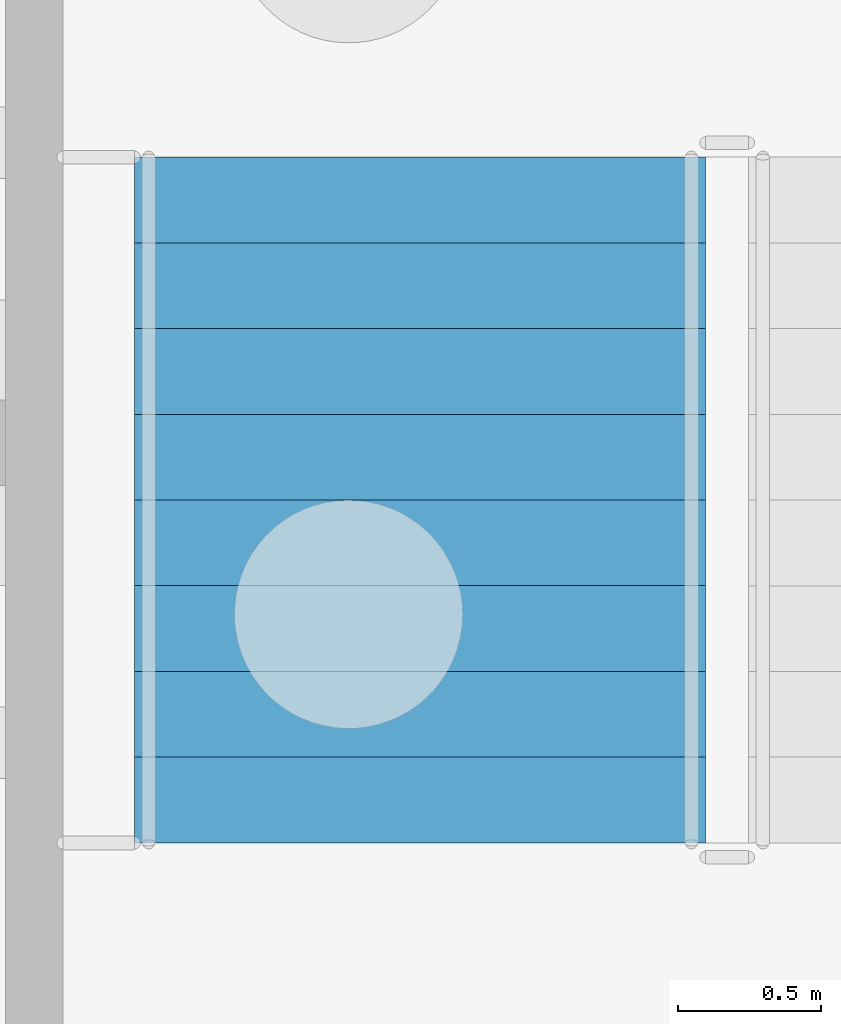
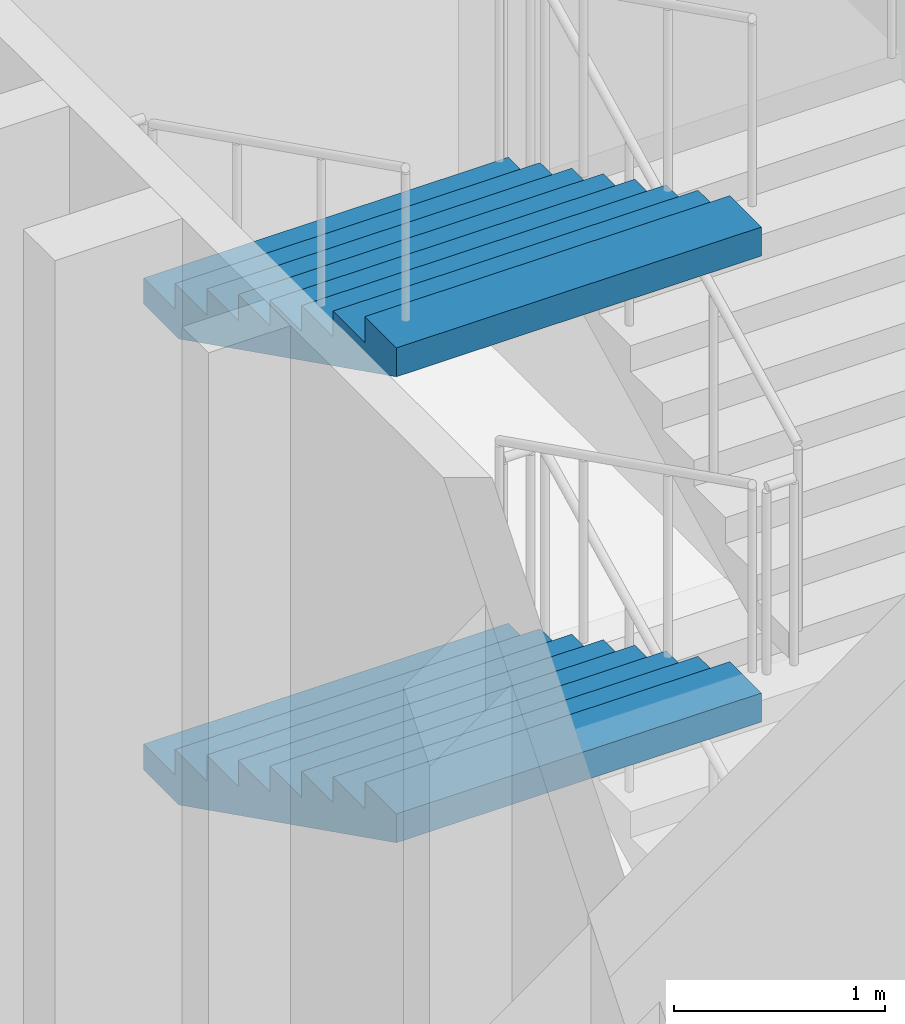
# One storey, part 84 of 129: 2 stair flights, 1 element without a shape of its own.
"""IFC4 building model written with IfcOpenShell, lengths in metres."""

from ifc_helpers import new_model, si_unit, direction, frame, origin, place, context, subcontext, project, spatial, faceted_brep, material, type_object, element, aggregate, save


model = new_model("IFC4")

# Units and contexts
model_context = context("Model", 3, precision=1e-05, world=origin(), true_north=direction((0.0, 1.0)))
body_context = subcontext(model_context, "Body", "Model", "MODEL_VIEW")
ifc_project = project(units=[si_unit("LENGTHUNIT", "METRE"), si_unit("AREAUNIT", "SQUARE_METRE"), si_unit("VOLUMEUNIT", "CUBIC_METRE"), si_unit("PLANEANGLEUNIT", "RADIAN"), si_unit("MASSUNIT", "GRAM", prefix="KILO")], contexts=[model_context])

# Site, building, storey
site_placement = place(None, origin())
site = spatial("IfcSite", under=ifc_project, at=site_placement, CompositionType="ELEMENT")
building_placement = place(site_placement, origin())
building = spatial("IfcBuilding", under=site, at=building_placement, Name="Kiln Court Media Centre", CompositionType="ELEMENT")
storey_placement = place(building_placement, origin())
storey = spatial("IfcBuildingStorey", under=building, at=storey_placement, Name="L00", CompositionType="ELEMENT", Elevation=0.0)

# Stair, stair flights
ifc_material_1 = material(Name="Concrete C40/50", Category="concrete")
stair_type = type_object("IfcStairType", Name="Concrete C40/50 dog-leg stair 2000 wide, 150 riser", PredefinedType="HALF_TURN_STAIR", material=ifc_material_1)
stair_placement = place(storey_placement, origin())
stair = element("IfcStair", 1, at=stair_placement, inside=storey, type_object=stair_type, Name="ST-13 L00", PredefinedType="HALF_TURN_STAIR")
ifc_material_2 = material(Name="Concrete C40/50", Category="concrete")
stair_flight_type = type_object("IfcStairFlightType", Name="Concrete C40/50 stair flight 2000 wide, 150 riser, 300 going", PredefinedType="STRAIGHT", material=ifc_material_2)
stair_flight_1_placement = place(storey_placement, frame((119.050048828125, 38.800048828125, 1.35009765625), z_axis=(0.0, 0.0, 1.0), x_axis=(0.0, -1.0, 0.0)))
stair_flight_1 = element("IfcStairFlight", 2, at=stair_flight_1_placement, type_object=stair_flight_type, Name="L00-ST-5012 flight 5049", NumberOfRisers=9, NumberOfTreads=8, PredefinedType="STRAIGHT", RiserHeight=0.15, TreadLength=0.3, context=body_context, shape_type="Brep", body=[
    faceted_brep([(0.335205078125, -1.0, 0.0), (2.39990234375, -1.0, 1.032470703125), (2.39990234375, -1.0, 1.199951171875), (2.10009765625, -1.0, 1.199951171875), (2.10009765625, -1.0, 1.050048828125), (1.800048828125, -1.0, 1.050048828125), (1.800048828125, -1.0, 0.89990234375), (1.5, -1.0, 0.89990234375), (1.5, -1.0, 0.75), (1.199951171875, -1.0, 0.75), (1.199951171875, -1.0, 0.60009765625), (0.89990234375, -1.0, 0.60009765625), (0.89990234375, -1.0, 0.449951171875), (0.60009765625, -1.0, 0.449951171875), (0.60009765625, -1.0, 0.300048828125), (0.300048828125, -1.0, 0.300048828125), (0.300048828125, -1.0, 0.14990234375), (0.0, -1.0, 0.14990234375), (0.0, -1.0, 0.0), (0.0, 1.0, 0.0), (0.0, 1.0, 0.14990234375), (0.300048828125, 1.0, 0.14990234375), (0.300048828125, 1.0, 0.300048828125), (0.60009765625, 1.0, 0.300048828125), (0.60009765625, 1.0, 0.449951171875), (0.89990234375, 1.0, 0.449951171875), (0.89990234375, 1.0, 0.60009765625), (1.199951171875, 1.0, 0.60009765625), (1.199951171875, 1.0, 0.75), (1.5, 1.0, 0.75), (1.5, 1.0, 0.89990234375), (1.800048828125, 1.0, 0.89990234375), (1.800048828125, 1.0, 1.050048828125), (2.10009765625, 1.0, 1.050048828125), (2.10009765625, 1.0, 1.199951171875), (2.39990234375, 1.0, 1.199951171875), (2.39990234375, 1.0, 1.032470703125), (0.335205078125, 1.0, 0.0), (2.39990234375, 0.10009765625, 1.032470703125), (0.335205078125, 0.10009765625, 0.0), (2.39990234375, 0.080078125, 1.032470703125), (0.335205078125, 0.080078125, 0.0), (2.39990234375, 0.06005859375, 1.032470703125), (0.335205078125, 0.06005859375, 0.0), (2.39990234375, 0.0400390625, 1.032470703125), (0.335205078125, 0.0400390625, 0.0), (2.39990234375, 0.02001953125, 1.032470703125), (0.335205078125, 0.02001953125, 0.0), (2.39990234375, 0.0, 1.032470703125), (0.335205078125, 0.0, 0.0), (2.39990234375, -0.02001953125, 1.032470703125), (0.335205078125, -0.02001953125, 0.0), (2.39990234375, -0.0400390625, 1.032470703125), (0.335205078125, -0.0400390625, 0.0), (2.39990234375, -0.06005859375, 1.032470703125), (0.335205078125, -0.06005859375, 0.0), (2.39990234375, -0.080078125, 1.032470703125), (0.335205078125, -0.080078125, 0.0), (2.39990234375, -0.10009765625, 1.032470703125), (0.335205078125, -0.10009765625, 0.0), (2.39990234375, 0.10009765625, 1.199951171875), (2.39990234375, 0.080078125, 1.199951171875), (2.39990234375, 0.06005859375, 1.199951171875), (2.39990234375, 0.0400390625, 1.199951171875), (2.39990234375, 0.02001953125, 1.199951171875), (2.39990234375, 0.0, 1.199951171875), (2.39990234375, -0.02001953125, 1.199951171875), (2.39990234375, -0.0400390625, 1.199951171875), (2.39990234375, -0.06005859375, 1.199951171875), (2.39990234375, -0.080078125, 1.199951171875), (2.39990234375, -0.10009765625, 1.199951171875), (2.10009765625, 0.10009765625, 1.199951171875), (2.10009765625, 0.080078125, 1.199951171875), (2.10009765625, 0.06005859375, 1.199951171875), (2.10009765625, 0.0400390625, 1.199951171875), (2.10009765625, 0.02001953125, 1.199951171875), (2.10009765625, 0.0, 1.199951171875), (2.10009765625, -0.02001953125, 1.199951171875), (2.10009765625, -0.0400390625, 1.199951171875), (2.10009765625, -0.06005859375, 1.199951171875), (2.10009765625, -0.080078125, 1.199951171875), (2.10009765625, -0.10009765625, 1.199951171875), (2.10009765625, 0.10009765625, 1.050048828125), (2.10009765625, 0.080078125, 1.050048828125), (2.10009765625, 0.06005859375, 1.050048828125), (2.10009765625, 0.0400390625, 1.050048828125), (2.10009765625, 0.02001953125, 1.050048828125), (2.10009765625, 0.0, 1.050048828125), (2.10009765625, -0.02001953125, 1.050048828125), (2.10009765625, -0.0400390625, 1.050048828125), (2.10009765625, -0.06005859375, 1.050048828125), (2.10009765625, -0.080078125, 1.050048828125), (2.10009765625, -0.10009765625, 1.050048828125), (1.800048828125, 0.10009765625, 1.050048828125), (1.800048828125, 0.080078125, 1.050048828125), (1.800048828125, 0.06005859375, 1.050048828125), (1.800048828125, 0.0400390625, 1.050048828125), (1.800048828125, 0.02001953125, 1.050048828125), (1.800048828125, 0.0, 1.050048828125), (1.800048828125, -0.02001953125, 1.050048828125), (1.800048828125, -0.0400390625, 1.050048828125), (1.800048828125, -0.06005859375, 1.050048828125), (1.800048828125, -0.080078125, 1.050048828125), (1.800048828125, -0.10009765625, 1.050048828125), (1.800048828125, 0.10009765625, 0.89990234375), (1.800048828125, 0.080078125, 0.89990234375), (1.800048828125, 0.06005859375, 0.89990234375), (1.800048828125, 0.0400390625, 0.89990234375), (1.800048828125, 0.02001953125, 0.89990234375), (1.800048828125, 0.0, 0.89990234375), (1.800048828125, -0.02001953125, 0.89990234375), (1.800048828125, -0.0400390625, 0.89990234375), (1.800048828125, -0.06005859375, 0.89990234375), (1.800048828125, -0.080078125, 0.89990234375), (1.800048828125, -0.10009765625, 0.89990234375), (1.5, 0.10009765625, 0.89990234375), (1.5, 0.080078125, 0.89990234375), (1.5, 0.06005859375, 0.89990234375), (1.5, 0.0400390625, 0.89990234375), (1.5, 0.02001953125, 0.89990234375), (1.5, 0.0, 0.89990234375), (1.5, -0.02001953125, 0.89990234375), (1.5, -0.0400390625, 0.89990234375), (1.5, -0.06005859375, 0.89990234375), (1.5, -0.080078125, 0.89990234375), (1.5, -0.10009765625, 0.89990234375), (1.5, 0.10009765625, 0.75), (1.5, 0.080078125, 0.75), (1.5, 0.06005859375, 0.75), (1.5, 0.0400390625, 0.75), (1.5, 0.02001953125, 0.75), (1.5, 0.0, 0.75), (1.5, -0.02001953125, 0.75), (1.5, -0.0400390625, 0.75), (1.5, -0.06005859375, 0.75), (1.5, -0.080078125, 0.75), (1.5, -0.10009765625, 0.75), (1.199951171875, 0.10009765625, 0.75), (1.199951171875, 0.080078125, 0.75), (1.199951171875, 0.06005859375, 0.75), (1.199951171875, 0.0400390625, 0.75), (1.199951171875, 0.02001953125, 0.75), (1.199951171875, 0.0, 0.75), (1.199951171875, -0.02001953125, 0.75), (1.199951171875, -0.0400390625, 0.75), (1.199951171875, -0.06005859375, 0.75), (1.199951171875, -0.080078125, 0.75), (1.199951171875, -0.10009765625, 0.75), (1.199951171875, 0.10009765625, 0.60009765625), (1.199951171875, 0.080078125, 0.60009765625), (1.199951171875, 0.06005859375, 0.60009765625), (1.199951171875, 0.0400390625, 0.60009765625), (1.199951171875, 0.02001953125, 0.60009765625), (1.199951171875, 0.0, 0.60009765625), (1.199951171875, -0.02001953125, 0.60009765625), (1.199951171875, -0.0400390625, 0.60009765625), (1.199951171875, -0.06005859375, 0.60009765625), (1.199951171875, -0.080078125, 0.60009765625), (1.199951171875, -0.10009765625, 0.60009765625), (0.89990234375, 0.10009765625, 0.60009765625), (0.89990234375, 0.080078125, 0.60009765625), (0.89990234375, 0.06005859375, 0.60009765625), (0.89990234375, 0.0400390625, 0.60009765625), (0.89990234375, 0.02001953125, 0.60009765625), (0.89990234375, 0.0, 0.60009765625), (0.89990234375, -0.02001953125, 0.60009765625), (0.89990234375, -0.0400390625, 0.60009765625), (0.89990234375, -0.06005859375, 0.60009765625), (0.89990234375, -0.080078125, 0.60009765625), (0.89990234375, -0.10009765625, 0.60009765625), (0.89990234375, 0.10009765625, 0.449951171875), (0.89990234375, 0.080078125, 0.449951171875), (0.89990234375, 0.06005859375, 0.449951171875), (0.89990234375, 0.0400390625, 0.449951171875), (0.89990234375, 0.02001953125, 0.449951171875), (0.89990234375, 0.0, 0.449951171875), (0.89990234375, -0.02001953125, 0.449951171875), (0.89990234375, -0.0400390625, 0.449951171875), (0.89990234375, -0.06005859375, 0.449951171875), (0.89990234375, -0.080078125, 0.449951171875), (0.89990234375, -0.10009765625, 0.449951171875), (0.60009765625, 0.10009765625, 0.449951171875), (0.60009765625, 0.080078125, 0.449951171875), (0.60009765625, 0.06005859375, 0.449951171875), (0.60009765625, 0.0400390625, 0.449951171875), (0.60009765625, 0.02001953125, 0.449951171875), (0.60009765625, 0.0, 0.449951171875), (0.60009765625, -0.02001953125, 0.449951171875), (0.60009765625, -0.0400390625, 0.449951171875), (0.60009765625, -0.06005859375, 0.449951171875), (0.60009765625, -0.080078125, 0.449951171875), (0.60009765625, -0.10009765625, 0.449951171875), (0.60009765625, 0.10009765625, 0.300048828125), (0.60009765625, 0.080078125, 0.300048828125), (0.60009765625, 0.06005859375, 0.300048828125), (0.60009765625, 0.0400390625, 0.300048828125), (0.60009765625, 0.02001953125, 0.300048828125), (0.60009765625, 0.0, 0.300048828125), (0.60009765625, -0.02001953125, 0.300048828125), (0.60009765625, -0.0400390625, 0.300048828125), (0.60009765625, -0.06005859375, 0.300048828125), (0.60009765625, -0.080078125, 0.300048828125), (0.60009765625, -0.10009765625, 0.300048828125), (0.300048828125, 0.10009765625, 0.300048828125), (0.300048828125, 0.080078125, 0.300048828125), (0.300048828125, 0.06005859375, 0.300048828125), (0.300048828125, 0.0400390625, 0.300048828125), (0.300048828125, 0.02001953125, 0.300048828125), (0.300048828125, 0.0, 0.300048828125), (0.300048828125, -0.02001953125, 0.300048828125), (0.300048828125, -0.0400390625, 0.300048828125), (0.300048828125, -0.06005859375, 0.300048828125), (0.300048828125, -0.080078125, 0.300048828125), (0.300048828125, -0.10009765625, 0.300048828125), (0.300048828125, 0.10009765625, 0.14990234375), (0.300048828125, 0.080078125, 0.14990234375), (0.300048828125, 0.06005859375, 0.14990234375), (0.300048828125, 0.0400390625, 0.14990234375), (0.300048828125, 0.02001953125, 0.14990234375), (0.300048828125, 0.0, 0.14990234375), (0.300048828125, -0.02001953125, 0.14990234375), (0.300048828125, -0.0400390625, 0.14990234375), (0.300048828125, -0.06005859375, 0.14990234375), (0.300048828125, -0.080078125, 0.14990234375), (0.300048828125, -0.10009765625, 0.14990234375), (0.0, 0.10009765625, 0.14990234375), (0.0, 0.080078125, 0.14990234375), (0.0, 0.06005859375, 0.14990234375), (0.0, 0.0400390625, 0.14990234375), (0.0, 0.02001953125, 0.14990234375), (0.0, 0.0, 0.14990234375), (0.0, -0.02001953125, 0.14990234375), (0.0, -0.0400390625, 0.14990234375), (0.0, -0.06005859375, 0.14990234375), (0.0, -0.080078125, 0.14990234375), (0.0, -0.10009765625, 0.14990234375), (0.0, 0.10009765625, 0.0), (0.0, 0.080078125, 0.0), (0.0, 0.06005859375, 0.0), (0.0, 0.0400390625, 0.0), (0.0, 0.02001953125, 0.0), (0.0, 0.0, 0.0), (0.0, -0.02001953125, 0.0), (0.0, -0.0400390625, 0.0), (0.0, -0.06005859375, 0.0), (0.0, -0.080078125, 0.0), (0.0, -0.10009765625, 0.0)], [[[0, 1, 2, 3, 4, 5, 6, 7, 8, 9, 10, 11, 12, 13, 14, 15, 16, 17, 18]], [[19, 20, 21, 22, 23, 24, 25, 26, 27, 28, 29, 30, 31, 32, 33, 34, 35, 36, 37]], [[37, 36, 38, 39]], [[39, 38, 40, 41]], [[41, 40, 42, 43]], [[43, 42, 44, 45]], [[45, 44, 46, 47]], [[47, 46, 48, 49]], [[49, 48, 50, 51]], [[51, 50, 52, 53]], [[53, 52, 54, 55]], [[55, 54, 56, 57]], [[57, 56, 58, 59]], [[59, 58, 1, 0]], [[36, 35, 60, 38]], [[38, 60, 61, 40]], [[40, 61, 62, 42]], [[42, 62, 63, 44]], [[44, 63, 64, 46]], [[46, 64, 65, 48]], [[48, 65, 66, 50]], [[50, 66, 67, 52]], [[52, 67, 68, 54]], [[54, 68, 69, 56]], [[56, 69, 70, 58]], [[58, 70, 2, 1]], [[35, 34, 71, 60]], [[60, 71, 72, 61]], [[61, 72, 73, 62]], [[62, 73, 74, 63]], [[63, 74, 75, 64]], [[64, 75, 76, 65]], [[65, 76, 77, 66]], [[66, 77, 78, 67]], [[67, 78, 79, 68]], [[68, 79, 80, 69]], [[69, 80, 81, 70]], [[70, 81, 3, 2]], [[34, 33, 82, 71]], [[71, 82, 83, 72]], [[72, 83, 84, 73]], [[73, 84, 85, 74]], [[74, 85, 86, 75]], [[75, 86, 87, 76]], [[76, 87, 88, 77]], [[77, 88, 89, 78]], [[78, 89, 90, 79]], [[79, 90, 91, 80]], [[80, 91, 92, 81]], [[81, 92, 4, 3]], [[33, 32, 93, 82]], [[82, 93, 94, 83]], [[83, 94, 95, 84]], [[84, 95, 96, 85]], [[85, 96, 97, 86]], [[86, 97, 98, 87]], [[87, 98, 99, 88]], [[88, 99, 100, 89]], [[89, 100, 101, 90]], [[90, 101, 102, 91]], [[91, 102, 103, 92]], [[92, 103, 5, 4]], [[32, 31, 104, 93]], [[93, 104, 105, 94]], [[94, 105, 106, 95]], [[95, 106, 107, 96]], [[96, 107, 108, 97]], [[97, 108, 109, 98]], [[98, 109, 110, 99]], [[99, 110, 111, 100]], [[100, 111, 112, 101]], [[101, 112, 113, 102]], [[102, 113, 114, 103]], [[103, 114, 6, 5]], [[31, 30, 115, 104]], [[104, 115, 116, 105]], [[105, 116, 117, 106]], [[106, 117, 118, 107]], [[107, 118, 119, 108]], [[108, 119, 120, 109]], [[109, 120, 121, 110]], [[110, 121, 122, 111]], [[111, 122, 123, 112]], [[112, 123, 124, 113]], [[113, 124, 125, 114]], [[114, 125, 7, 6]], [[30, 29, 126, 115]], [[115, 126, 127, 116]], [[116, 127, 128, 117]], [[117, 128, 129, 118]], [[118, 129, 130, 119]], [[119, 130, 131, 120]], [[120, 131, 132, 121]], [[121, 132, 133, 122]], [[122, 133, 134, 123]], [[123, 134, 135, 124]], [[124, 135, 136, 125]], [[125, 136, 8, 7]], [[29, 28, 137, 126]], [[126, 137, 138, 127]], [[127, 138, 139, 128]], [[128, 139, 140, 129]], [[129, 140, 141, 130]], [[130, 141, 142, 131]], [[131, 142, 143, 132]], [[132, 143, 144, 133]], [[133, 144, 145, 134]], [[134, 145, 146, 135]], [[135, 146, 147, 136]], [[136, 147, 9, 8]], [[28, 27, 148, 137]], [[137, 148, 149, 138]], [[138, 149, 150, 139]], [[139, 150, 151, 140]], [[140, 151, 152, 141]], [[141, 152, 153, 142]], [[142, 153, 154, 143]], [[143, 154, 155, 144]], [[144, 155, 156, 145]], [[145, 156, 157, 146]], [[146, 157, 158, 147]], [[147, 158, 10, 9]], [[27, 26, 159, 148]], [[148, 159, 160, 149]], [[149, 160, 161, 150]], [[150, 161, 162, 151]], [[151, 162, 163, 152]], [[152, 163, 164, 153]], [[153, 164, 165, 154]], [[154, 165, 166, 155]], [[155, 166, 167, 156]], [[156, 167, 168, 157]], [[157, 168, 169, 158]], [[158, 169, 11, 10]], [[26, 25, 170, 159]], [[159, 170, 171, 160]], [[160, 171, 172, 161]], [[161, 172, 173, 162]], [[162, 173, 174, 163]], [[163, 174, 175, 164]], [[164, 175, 176, 165]], [[165, 176, 177, 166]], [[166, 177, 178, 167]], [[167, 178, 179, 168]], [[168, 179, 180, 169]], [[169, 180, 12, 11]], [[25, 24, 181, 170]], [[170, 181, 182, 171]], [[171, 182, 183, 172]], [[172, 183, 184, 173]], [[173, 184, 185, 174]], [[174, 185, 186, 175]], [[175, 186, 187, 176]], [[176, 187, 188, 177]], [[177, 188, 189, 178]], [[178, 189, 190, 179]], [[179, 190, 191, 180]], [[180, 191, 13, 12]], [[24, 23, 192, 181]], [[181, 192, 193, 182]], [[182, 193, 194, 183]], [[183, 194, 195, 184]], [[184, 195, 196, 185]], [[185, 196, 197, 186]], [[186, 197, 198, 187]], [[187, 198, 199, 188]], [[188, 199, 200, 189]], [[189, 200, 201, 190]], [[190, 201, 202, 191]], [[191, 202, 14, 13]], [[23, 22, 203, 192]], [[192, 203, 204, 193]], [[193, 204, 205, 194]], [[194, 205, 206, 195]], [[195, 206, 207, 196]], [[196, 207, 208, 197]], [[197, 208, 209, 198]], [[198, 209, 210, 199]], [[199, 210, 211, 200]], [[200, 211, 212, 201]], [[201, 212, 213, 202]], [[202, 213, 15, 14]], [[22, 21, 214, 203]], [[203, 214, 215, 204]], [[204, 215, 216, 205]], [[205, 216, 217, 206]], [[206, 217, 218, 207]], [[207, 218, 219, 208]], [[208, 219, 220, 209]], [[209, 220, 221, 210]], [[210, 221, 222, 211]], [[211, 222, 223, 212]], [[212, 223, 224, 213]], [[213, 224, 16, 15]], [[21, 20, 225, 214]], [[214, 225, 226, 215]], [[215, 226, 227, 216]], [[216, 227, 228, 217]], [[217, 228, 229, 218]], [[218, 229, 230, 219]], [[219, 230, 231, 220]], [[220, 231, 232, 221]], [[221, 232, 233, 222]], [[222, 233, 234, 223]], [[223, 234, 235, 224]], [[224, 235, 17, 16]], [[20, 19, 236, 225]], [[225, 236, 237, 226]], [[226, 237, 238, 227]], [[227, 238, 239, 228]], [[228, 239, 240, 229]], [[229, 240, 241, 230]], [[230, 241, 242, 231]], [[231, 242, 243, 232]], [[232, 243, 244, 233]], [[233, 244, 245, 234]], [[234, 245, 246, 235]], [[235, 246, 18, 17]], [[19, 37, 39, 236]], [[236, 39, 41, 237]], [[237, 41, 43, 238]], [[238, 43, 45, 239]], [[239, 45, 47, 240]], [[240, 47, 49, 241]], [[241, 49, 51, 242]], [[242, 51, 53, 243]], [[243, 53, 55, 244]], [[244, 55, 57, 245]], [[245, 57, 59, 246]], [[246, 59, 0, 18]]]),
])
stair_flight_2_placement = place(storey_placement, frame((119.050048828125, 38.800048828125, 4.050048828125), z_axis=(0.0, 0.0, 1.0), x_axis=(0.0, -1.0, 0.0)))
stair_flight_2 = element("IfcStairFlight", 3, at=stair_flight_2_placement, type_object=stair_flight_type, Name="L00-ST-5012 flight 5051", NumberOfRisers=9, NumberOfTreads=8, PredefinedType="STRAIGHT", RiserHeight=0.15, TreadLength=0.3, context=body_context, shape_type="Brep", body=[
    faceted_brep([(0.335205078125, -1.0, 0.0), (2.39990234375, -1.0, 1.032470703125), (2.39990234375, -1.0, 1.199951171875), (2.10009765625, -1.0, 1.199951171875), (2.10009765625, -1.0, 1.050048828125), (1.800048828125, -1.0, 1.050048828125), (1.800048828125, -1.0, 0.89990234375), (1.5, -1.0, 0.89990234375), (1.5, -1.0, 0.75), (1.199951171875, -1.0, 0.75), (1.199951171875, -1.0, 0.60009765625), (0.89990234375, -1.0, 0.60009765625), (0.89990234375, -1.0, 0.449951171875), (0.60009765625, -1.0, 0.449951171875), (0.60009765625, -1.0, 0.300048828125), (0.300048828125, -1.0, 0.300048828125), (0.300048828125, -1.0, 0.14990234375), (0.0, -1.0, 0.14990234375), (0.0, -1.0, 0.0), (0.0, 1.0, 0.0), (0.0, 1.0, 0.14990234375), (0.300048828125, 1.0, 0.14990234375), (0.300048828125, 1.0, 0.300048828125), (0.60009765625, 1.0, 0.300048828125), (0.60009765625, 1.0, 0.449951171875), (0.89990234375, 1.0, 0.449951171875), (0.89990234375, 1.0, 0.60009765625), (1.199951171875, 1.0, 0.60009765625), (1.199951171875, 1.0, 0.75), (1.5, 1.0, 0.75), (1.5, 1.0, 0.89990234375), (1.800048828125, 1.0, 0.89990234375), (1.800048828125, 1.0, 1.050048828125), (2.10009765625, 1.0, 1.050048828125), (2.10009765625, 1.0, 1.199951171875), (2.39990234375, 1.0, 1.199951171875), (2.39990234375, 1.0, 1.032470703125), (0.335205078125, 1.0, 0.0), (2.39990234375, 0.10009765625, 1.032470703125), (0.335205078125, 0.10009765625, 0.0), (2.39990234375, 0.080078125, 1.032470703125), (0.335205078125, 0.080078125, 0.0), (2.39990234375, 0.06005859375, 1.032470703125), (0.335205078125, 0.06005859375, 0.0), (2.39990234375, 0.0400390625, 1.032470703125), (0.335205078125, 0.0400390625, 0.0), (2.39990234375, 0.02001953125, 1.032470703125), (0.335205078125, 0.02001953125, 0.0), (2.39990234375, 0.0, 1.032470703125), (0.335205078125, 0.0, 0.0), (2.39990234375, -0.02001953125, 1.032470703125), (0.335205078125, -0.02001953125, 0.0), (2.39990234375, -0.0400390625, 1.032470703125), (0.335205078125, -0.0400390625, 0.0), (2.39990234375, -0.06005859375, 1.032470703125), (0.335205078125, -0.06005859375, 0.0), (2.39990234375, -0.080078125, 1.032470703125), (0.335205078125, -0.080078125, 0.0), (2.39990234375, -0.10009765625, 1.032470703125), (0.335205078125, -0.10009765625, 0.0), (2.39990234375, 0.10009765625, 1.199951171875), (2.39990234375, 0.080078125, 1.199951171875), (2.39990234375, 0.06005859375, 1.199951171875), (2.39990234375, 0.0400390625, 1.199951171875), (2.39990234375, 0.02001953125, 1.199951171875), (2.39990234375, 0.0, 1.199951171875), (2.39990234375, -0.02001953125, 1.199951171875), (2.39990234375, -0.0400390625, 1.199951171875), (2.39990234375, -0.06005859375, 1.199951171875), (2.39990234375, -0.080078125, 1.199951171875), (2.39990234375, -0.10009765625, 1.199951171875), (2.10009765625, 0.10009765625, 1.199951171875), (2.10009765625, 0.080078125, 1.199951171875), (2.10009765625, 0.06005859375, 1.199951171875), (2.10009765625, 0.0400390625, 1.199951171875), (2.10009765625, 0.02001953125, 1.199951171875), (2.10009765625, 0.0, 1.199951171875), (2.10009765625, -0.02001953125, 1.199951171875), (2.10009765625, -0.0400390625, 1.199951171875), (2.10009765625, -0.06005859375, 1.199951171875), (2.10009765625, -0.080078125, 1.199951171875), (2.10009765625, -0.10009765625, 1.199951171875), (2.10009765625, 0.10009765625, 1.050048828125), (2.10009765625, 0.080078125, 1.050048828125), (2.10009765625, 0.06005859375, 1.050048828125), (2.10009765625, 0.0400390625, 1.050048828125), (2.10009765625, 0.02001953125, 1.050048828125), (2.10009765625, 0.0, 1.050048828125), (2.10009765625, -0.02001953125, 1.050048828125), (2.10009765625, -0.0400390625, 1.050048828125), (2.10009765625, -0.06005859375, 1.050048828125), (2.10009765625, -0.080078125, 1.050048828125), (2.10009765625, -0.10009765625, 1.050048828125), (1.800048828125, 0.10009765625, 1.050048828125), (1.800048828125, 0.080078125, 1.050048828125), (1.800048828125, 0.06005859375, 1.050048828125), (1.800048828125, 0.0400390625, 1.050048828125), (1.800048828125, 0.02001953125, 1.050048828125), (1.800048828125, 0.0, 1.050048828125), (1.800048828125, -0.02001953125, 1.050048828125), (1.800048828125, -0.0400390625, 1.050048828125), (1.800048828125, -0.06005859375, 1.050048828125), (1.800048828125, -0.080078125, 1.050048828125), (1.800048828125, -0.10009765625, 1.050048828125), (1.800048828125, 0.10009765625, 0.89990234375), (1.800048828125, 0.080078125, 0.89990234375), (1.800048828125, 0.06005859375, 0.89990234375), (1.800048828125, 0.0400390625, 0.89990234375), (1.800048828125, 0.02001953125, 0.89990234375), (1.800048828125, 0.0, 0.89990234375), (1.800048828125, -0.02001953125, 0.89990234375), (1.800048828125, -0.0400390625, 0.89990234375), (1.800048828125, -0.06005859375, 0.89990234375), (1.800048828125, -0.080078125, 0.89990234375), (1.800048828125, -0.10009765625, 0.89990234375), (1.5, 0.10009765625, 0.89990234375), (1.5, 0.080078125, 0.89990234375), (1.5, 0.06005859375, 0.89990234375), (1.5, 0.0400390625, 0.89990234375), (1.5, 0.02001953125, 0.89990234375), (1.5, 0.0, 0.89990234375), (1.5, -0.02001953125, 0.89990234375), (1.5, -0.0400390625, 0.89990234375), (1.5, -0.06005859375, 0.89990234375), (1.5, -0.080078125, 0.89990234375), (1.5, -0.10009765625, 0.89990234375), (1.5, 0.10009765625, 0.75), (1.5, 0.080078125, 0.75), (1.5, 0.06005859375, 0.75), (1.5, 0.0400390625, 0.75), (1.5, 0.02001953125, 0.75), (1.5, 0.0, 0.75), (1.5, -0.02001953125, 0.75), (1.5, -0.0400390625, 0.75), (1.5, -0.06005859375, 0.75), (1.5, -0.080078125, 0.75), (1.5, -0.10009765625, 0.75), (1.199951171875, 0.10009765625, 0.75), (1.199951171875, 0.080078125, 0.75), (1.199951171875, 0.06005859375, 0.75), (1.199951171875, 0.0400390625, 0.75), (1.199951171875, 0.02001953125, 0.75), (1.199951171875, 0.0, 0.75), (1.199951171875, -0.02001953125, 0.75), (1.199951171875, -0.0400390625, 0.75), (1.199951171875, -0.06005859375, 0.75), (1.199951171875, -0.080078125, 0.75), (1.199951171875, -0.10009765625, 0.75), (1.199951171875, 0.10009765625, 0.60009765625), (1.199951171875, 0.080078125, 0.60009765625), (1.199951171875, 0.06005859375, 0.60009765625), (1.199951171875, 0.0400390625, 0.60009765625), (1.199951171875, 0.02001953125, 0.60009765625), (1.199951171875, 0.0, 0.60009765625), (1.199951171875, -0.02001953125, 0.60009765625), (1.199951171875, -0.0400390625, 0.60009765625), (1.199951171875, -0.06005859375, 0.60009765625), (1.199951171875, -0.080078125, 0.60009765625), (1.199951171875, -0.10009765625, 0.60009765625), (0.89990234375, 0.10009765625, 0.60009765625), (0.89990234375, 0.080078125, 0.60009765625), (0.89990234375, 0.06005859375, 0.60009765625), (0.89990234375, 0.0400390625, 0.60009765625), (0.89990234375, 0.02001953125, 0.60009765625), (0.89990234375, 0.0, 0.60009765625), (0.89990234375, -0.02001953125, 0.60009765625), (0.89990234375, -0.0400390625, 0.60009765625), (0.89990234375, -0.06005859375, 0.60009765625), (0.89990234375, -0.080078125, 0.60009765625), (0.89990234375, -0.10009765625, 0.60009765625), (0.89990234375, 0.10009765625, 0.449951171875), (0.89990234375, 0.080078125, 0.449951171875), (0.89990234375, 0.06005859375, 0.449951171875), (0.89990234375, 0.0400390625, 0.449951171875), (0.89990234375, 0.02001953125, 0.449951171875), (0.89990234375, 0.0, 0.449951171875), (0.89990234375, -0.02001953125, 0.449951171875), (0.89990234375, -0.0400390625, 0.449951171875), (0.89990234375, -0.06005859375, 0.449951171875), (0.89990234375, -0.080078125, 0.449951171875), (0.89990234375, -0.10009765625, 0.449951171875), (0.60009765625, 0.10009765625, 0.449951171875), (0.60009765625, 0.080078125, 0.449951171875), (0.60009765625, 0.06005859375, 0.449951171875), (0.60009765625, 0.0400390625, 0.449951171875), (0.60009765625, 0.02001953125, 0.449951171875), (0.60009765625, 0.0, 0.449951171875), (0.60009765625, -0.02001953125, 0.449951171875), (0.60009765625, -0.0400390625, 0.449951171875), (0.60009765625, -0.06005859375, 0.449951171875), (0.60009765625, -0.080078125, 0.449951171875), (0.60009765625, -0.10009765625, 0.449951171875), (0.60009765625, 0.10009765625, 0.300048828125), (0.60009765625, 0.080078125, 0.300048828125), (0.60009765625, 0.06005859375, 0.300048828125), (0.60009765625, 0.0400390625, 0.300048828125), (0.60009765625, 0.02001953125, 0.300048828125), (0.60009765625, 0.0, 0.300048828125), (0.60009765625, -0.02001953125, 0.300048828125), (0.60009765625, -0.0400390625, 0.300048828125), (0.60009765625, -0.06005859375, 0.300048828125), (0.60009765625, -0.080078125, 0.300048828125), (0.60009765625, -0.10009765625, 0.300048828125), (0.300048828125, 0.10009765625, 0.300048828125), (0.300048828125, 0.080078125, 0.300048828125), (0.300048828125, 0.06005859375, 0.300048828125), (0.300048828125, 0.0400390625, 0.300048828125), (0.300048828125, 0.02001953125, 0.300048828125), (0.300048828125, 0.0, 0.300048828125), (0.300048828125, -0.02001953125, 0.300048828125), (0.300048828125, -0.0400390625, 0.300048828125), (0.300048828125, -0.06005859375, 0.300048828125), (0.300048828125, -0.080078125, 0.300048828125), (0.300048828125, -0.10009765625, 0.300048828125), (0.300048828125, 0.10009765625, 0.14990234375), (0.300048828125, 0.080078125, 0.14990234375), (0.300048828125, 0.06005859375, 0.14990234375), (0.300048828125, 0.0400390625, 0.14990234375), (0.300048828125, 0.02001953125, 0.14990234375), (0.300048828125, 0.0, 0.14990234375), (0.300048828125, -0.02001953125, 0.14990234375), (0.300048828125, -0.0400390625, 0.14990234375), (0.300048828125, -0.06005859375, 0.14990234375), (0.300048828125, -0.080078125, 0.14990234375), (0.300048828125, -0.10009765625, 0.14990234375), (0.0, 0.10009765625, 0.14990234375), (0.0, 0.080078125, 0.14990234375), (0.0, 0.06005859375, 0.14990234375), (0.0, 0.0400390625, 0.14990234375), (0.0, 0.02001953125, 0.14990234375), (0.0, 0.0, 0.14990234375), (0.0, -0.02001953125, 0.14990234375), (0.0, -0.0400390625, 0.14990234375), (0.0, -0.06005859375, 0.14990234375), (0.0, -0.080078125, 0.14990234375), (0.0, -0.10009765625, 0.14990234375), (0.0, 0.10009765625, 0.0), (0.0, 0.080078125, 0.0), (0.0, 0.06005859375, 0.0), (0.0, 0.0400390625, 0.0), (0.0, 0.02001953125, 0.0), (0.0, 0.0, 0.0), (0.0, -0.02001953125, 0.0), (0.0, -0.0400390625, 0.0), (0.0, -0.06005859375, 0.0), (0.0, -0.080078125, 0.0), (0.0, -0.10009765625, 0.0)], [[[0, 1, 2, 3, 4, 5, 6, 7, 8, 9, 10, 11, 12, 13, 14, 15, 16, 17, 18]], [[19, 20, 21, 22, 23, 24, 25, 26, 27, 28, 29, 30, 31, 32, 33, 34, 35, 36, 37]], [[37, 36, 38, 39]], [[39, 38, 40, 41]], [[41, 40, 42, 43]], [[43, 42, 44, 45]], [[45, 44, 46, 47]], [[47, 46, 48, 49]], [[49, 48, 50, 51]], [[51, 50, 52, 53]], [[53, 52, 54, 55]], [[55, 54, 56, 57]], [[57, 56, 58, 59]], [[59, 58, 1, 0]], [[36, 35, 60, 38]], [[38, 60, 61, 40]], [[40, 61, 62, 42]], [[42, 62, 63, 44]], [[44, 63, 64, 46]], [[46, 64, 65, 48]], [[48, 65, 66, 50]], [[50, 66, 67, 52]], [[52, 67, 68, 54]], [[54, 68, 69, 56]], [[56, 69, 70, 58]], [[58, 70, 2, 1]], [[35, 34, 71, 60]], [[60, 71, 72, 61]], [[61, 72, 73, 62]], [[62, 73, 74, 63]], [[63, 74, 75, 64]], [[64, 75, 76, 65]], [[65, 76, 77, 66]], [[66, 77, 78, 67]], [[67, 78, 79, 68]], [[68, 79, 80, 69]], [[69, 80, 81, 70]], [[70, 81, 3, 2]], [[34, 33, 82, 71]], [[71, 82, 83, 72]], [[72, 83, 84, 73]], [[73, 84, 85, 74]], [[74, 85, 86, 75]], [[75, 86, 87, 76]], [[76, 87, 88, 77]], [[77, 88, 89, 78]], [[78, 89, 90, 79]], [[79, 90, 91, 80]], [[80, 91, 92, 81]], [[81, 92, 4, 3]], [[33, 32, 93, 82]], [[82, 93, 94, 83]], [[83, 94, 95, 84]], [[84, 95, 96, 85]], [[85, 96, 97, 86]], [[86, 97, 98, 87]], [[87, 98, 99, 88]], [[88, 99, 100, 89]], [[89, 100, 101, 90]], [[90, 101, 102, 91]], [[91, 102, 103, 92]], [[92, 103, 5, 4]], [[32, 31, 104, 93]], [[93, 104, 105, 94]], [[94, 105, 106, 95]], [[95, 106, 107, 96]], [[96, 107, 108, 97]], [[97, 108, 109, 98]], [[98, 109, 110, 99]], [[99, 110, 111, 100]], [[100, 111, 112, 101]], [[101, 112, 113, 102]], [[102, 113, 114, 103]], [[103, 114, 6, 5]], [[31, 30, 115, 104]], [[104, 115, 116, 105]], [[105, 116, 117, 106]], [[106, 117, 118, 107]], [[107, 118, 119, 108]], [[108, 119, 120, 109]], [[109, 120, 121, 110]], [[110, 121, 122, 111]], [[111, 122, 123, 112]], [[112, 123, 124, 113]], [[113, 124, 125, 114]], [[114, 125, 7, 6]], [[30, 29, 126, 115]], [[115, 126, 127, 116]], [[116, 127, 128, 117]], [[117, 128, 129, 118]], [[118, 129, 130, 119]], [[119, 130, 131, 120]], [[120, 131, 132, 121]], [[121, 132, 133, 122]], [[122, 133, 134, 123]], [[123, 134, 135, 124]], [[124, 135, 136, 125]], [[125, 136, 8, 7]], [[29, 28, 137, 126]], [[126, 137, 138, 127]], [[127, 138, 139, 128]], [[128, 139, 140, 129]], [[129, 140, 141, 130]], [[130, 141, 142, 131]], [[131, 142, 143, 132]], [[132, 143, 144, 133]], [[133, 144, 145, 134]], [[134, 145, 146, 135]], [[135, 146, 147, 136]], [[136, 147, 9, 8]], [[28, 27, 148, 137]], [[137, 148, 149, 138]], [[138, 149, 150, 139]], [[139, 150, 151, 140]], [[140, 151, 152, 141]], [[141, 152, 153, 142]], [[142, 153, 154, 143]], [[143, 154, 155, 144]], [[144, 155, 156, 145]], [[145, 156, 157, 146]], [[146, 157, 158, 147]], [[147, 158, 10, 9]], [[27, 26, 159, 148]], [[148, 159, 160, 149]], [[149, 160, 161, 150]], [[150, 161, 162, 151]], [[151, 162, 163, 152]], [[152, 163, 164, 153]], [[153, 164, 165, 154]], [[154, 165, 166, 155]], [[155, 166, 167, 156]], [[156, 167, 168, 157]], [[157, 168, 169, 158]], [[158, 169, 11, 10]], [[26, 25, 170, 159]], [[159, 170, 171, 160]], [[160, 171, 172, 161]], [[161, 172, 173, 162]], [[162, 173, 174, 163]], [[163, 174, 175, 164]], [[164, 175, 176, 165]], [[165, 176, 177, 166]], [[166, 177, 178, 167]], [[167, 178, 179, 168]], [[168, 179, 180, 169]], [[169, 180, 12, 11]], [[25, 24, 181, 170]], [[170, 181, 182, 171]], [[171, 182, 183, 172]], [[172, 183, 184, 173]], [[173, 184, 185, 174]], [[174, 185, 186, 175]], [[175, 186, 187, 176]], [[176, 187, 188, 177]], [[177, 188, 189, 178]], [[178, 189, 190, 179]], [[179, 190, 191, 180]], [[180, 191, 13, 12]], [[24, 23, 192, 181]], [[181, 192, 193, 182]], [[182, 193, 194, 183]], [[183, 194, 195, 184]], [[184, 195, 196, 185]], [[185, 196, 197, 186]], [[186, 197, 198, 187]], [[187, 198, 199, 188]], [[188, 199, 200, 189]], [[189, 200, 201, 190]], [[190, 201, 202, 191]], [[191, 202, 14, 13]], [[23, 22, 203, 192]], [[192, 203, 204, 193]], [[193, 204, 205, 194]], [[194, 205, 206, 195]], [[195, 206, 207, 196]], [[196, 207, 208, 197]], [[197, 208, 209, 198]], [[198, 209, 210, 199]], [[199, 210, 211, 200]], [[200, 211, 212, 201]], [[201, 212, 213, 202]], [[202, 213, 15, 14]], [[22, 21, 214, 203]], [[203, 214, 215, 204]], [[204, 215, 216, 205]], [[205, 216, 217, 206]], [[206, 217, 218, 207]], [[207, 218, 219, 208]], [[208, 219, 220, 209]], [[209, 220, 221, 210]], [[210, 221, 222, 211]], [[211, 222, 223, 212]], [[212, 223, 224, 213]], [[213, 224, 16, 15]], [[21, 20, 225, 214]], [[214, 225, 226, 215]], [[215, 226, 227, 216]], [[216, 227, 228, 217]], [[217, 228, 229, 218]], [[218, 229, 230, 219]], [[219, 230, 231, 220]], [[220, 231, 232, 221]], [[221, 232, 233, 222]], [[222, 233, 234, 223]], [[223, 234, 235, 224]], [[224, 235, 17, 16]], [[20, 19, 236, 225]], [[225, 236, 237, 226]], [[226, 237, 238, 227]], [[227, 238, 239, 228]], [[228, 239, 240, 229]], [[229, 240, 241, 230]], [[230, 241, 242, 231]], [[231, 242, 243, 232]], [[232, 243, 244, 233]], [[233, 244, 245, 234]], [[234, 245, 246, 235]], [[235, 246, 18, 17]], [[19, 37, 39, 236]], [[236, 39, 41, 237]], [[237, 41, 43, 238]], [[238, 43, 45, 239]], [[239, 45, 47, 240]], [[240, 47, 49, 241]], [[241, 49, 51, 242]], [[242, 51, 53, 243]], [[243, 53, 55, 244]], [[244, 55, 57, 245]], [[245, 57, 59, 246]], [[246, 59, 0, 18]]]),
])
aggregate(stair, [stair_flight_1, stair_flight_2])

save(model, "model.ifc")
